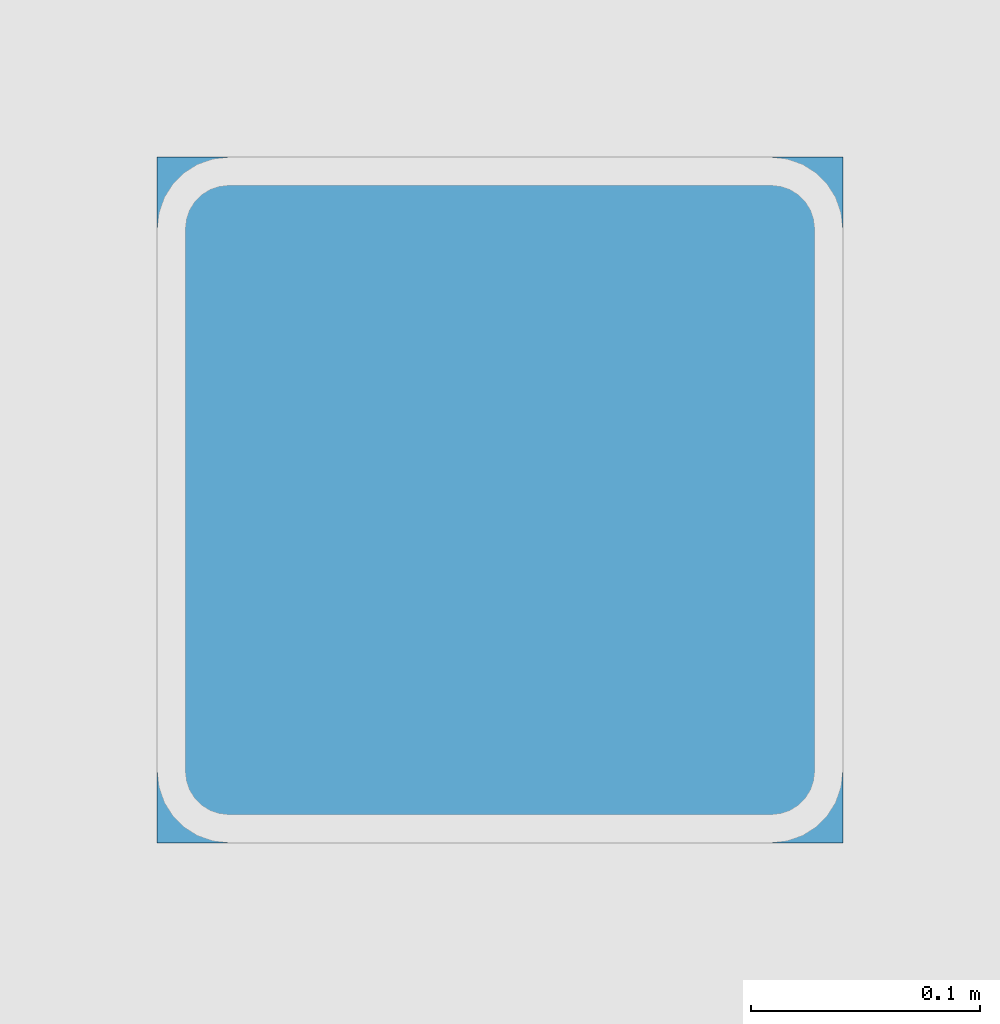
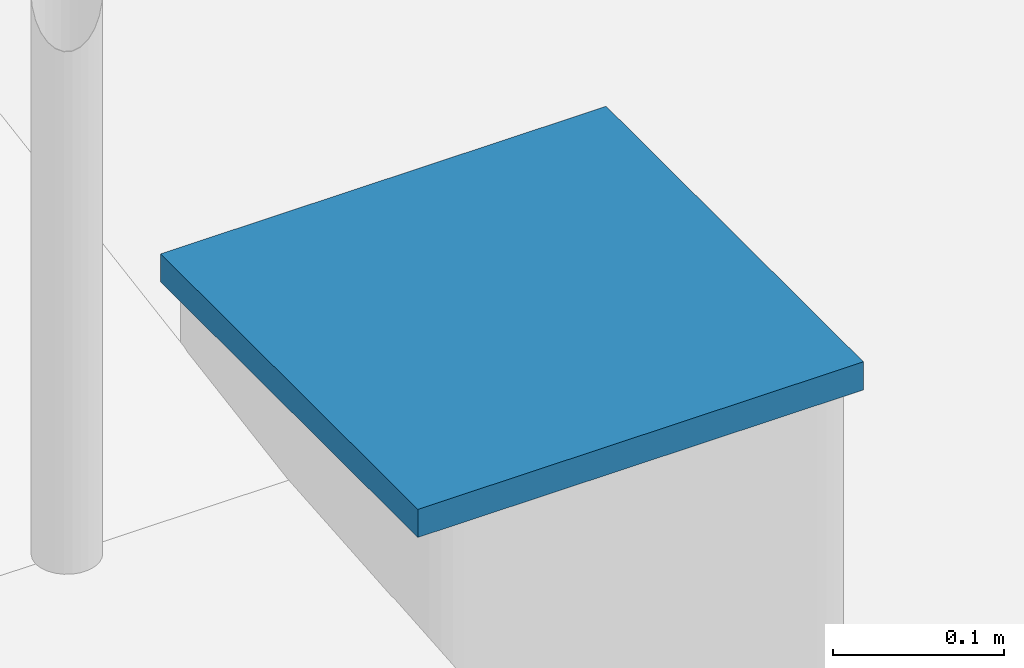
# One storey, part 34 of 37: 1 discrete accessory.
"""IFC4 building model written with IfcOpenShell, lengths in metres."""

from ifc_helpers import new_model, si_unit, direction, frame, origin, origin_2d, place, context, subcontext, project, spatial, rectangle, extrude, material, element, save


model = new_model("IFC4")

# Units and contexts
model_context = context("Model", 3, precision=1e-05, world=origin(), true_north=direction((0.0, 1.0)))
body_context = subcontext(model_context, "Body", "Model", "MODEL_VIEW")
ifc_project = project(units=[si_unit("LENGTHUNIT", "METRE"), si_unit("AREAUNIT", "SQUARE_METRE"), si_unit("VOLUMEUNIT", "CUBIC_METRE"), si_unit("PLANEANGLEUNIT", "RADIAN"), si_unit("MASSUNIT", "GRAM", prefix="KILO")], contexts=[model_context])

# Site, building, storey
site_placement = place(None, origin())
site = spatial("IfcSite", under=ifc_project, at=site_placement, CompositionType="ELEMENT")
building_placement = place(site_placement, origin())
building = spatial("IfcBuilding", under=site, at=building_placement, Name="Quoin Convention Tower", CompositionType="ELEMENT")
storey_placement = place(building_placement, frame((0.0, 0.0, -9.0)))
storey = spatial("IfcBuildingStorey", under=building, at=storey_placement, Name="B2", CompositionType="ELEMENT", Elevation=-9.0)

# Discrete accessory
ifc_material = material(Name="Steel Grade 350", Category="steel")
discrete_accessory_placement = place(storey_placement, frame((94.64990234375, 31.14990234375, 0.300048828125), z_axis=(0.0, 0.0, 1.0), x_axis=(1.0, 0.0, 0.0)))
element("IfcDiscreteAccessory", 1, at=discrete_accessory_placement, inside=storey, material=ifc_material, Name="RAMP POST CAP PLATE RP2LO", ObjectType="Ramp post cap plate", PredefinedType="USERDEFINED", context=body_context, shape_type="SweptSolid", body=[
    extrude(rectangle(XDim=0.300048828125, YDim=0.300048828125, at=origin_2d()), origin(), (0.0, 0.0, 1.0), 0.02001953125),
])

save(model, "model.ifc")
